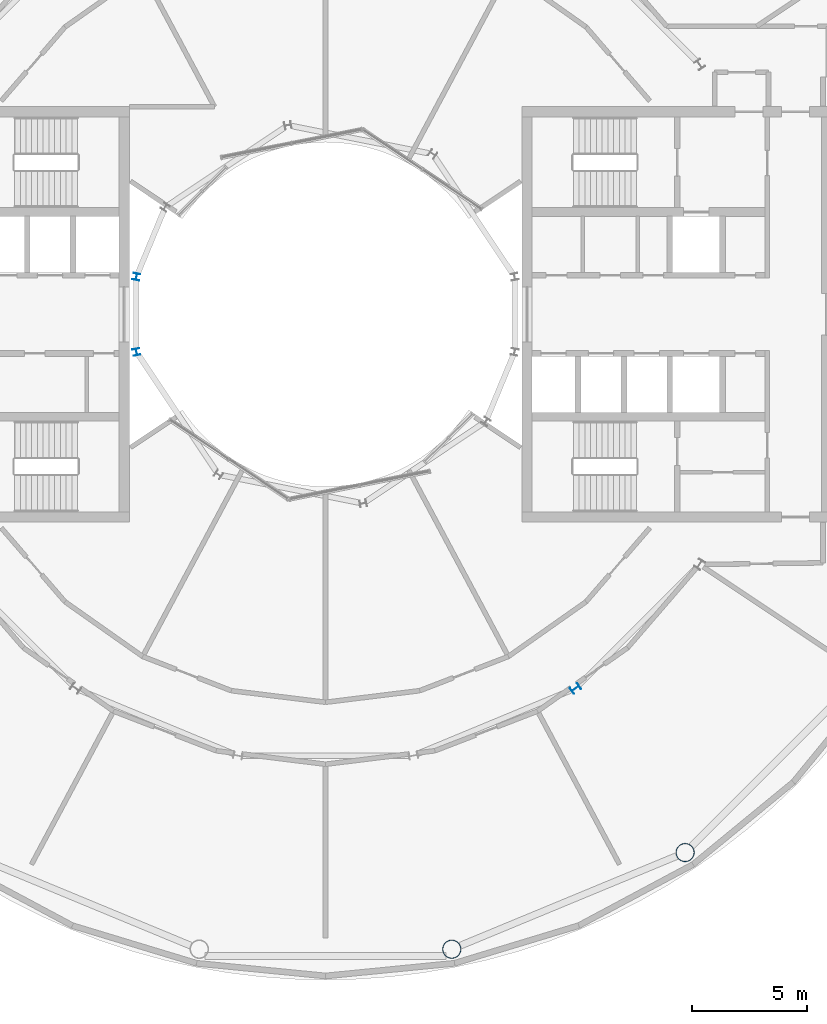
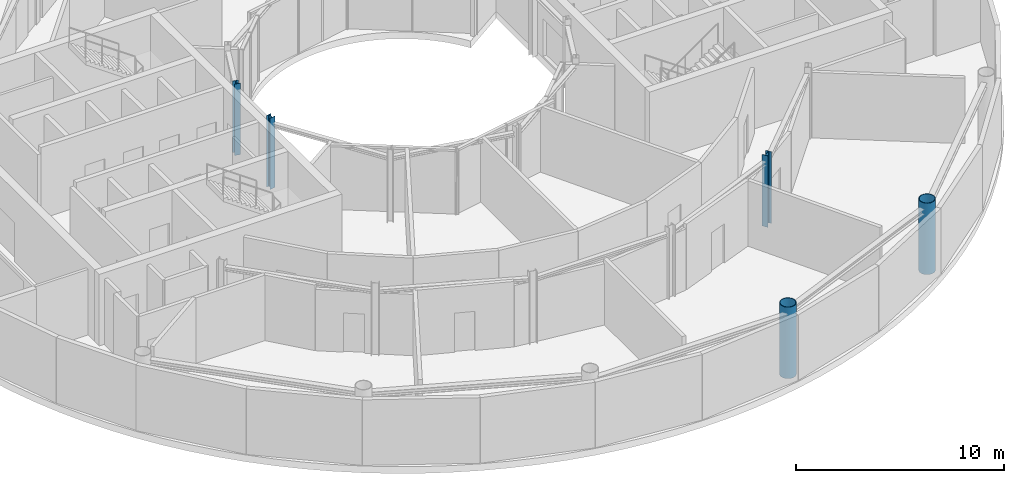
# One storey, part 2 of 19: 5 columns.
"""IFC4 building model written with IfcOpenShell, lengths in metres."""

from ifc_helpers import new_model, si_unit, direction, frame, origin, origin_2d, place, context, subcontext, project, spatial, hollow_circle, i_section, extrude, material, material_profile, profile_set, type_object, element, save


model = new_model("IFC4")

# Units and contexts
model_context = context("Model", 3, precision=1e-05, world=origin(), true_north=direction((0.0, 1.0)))
body_context = subcontext(model_context, "Body", "Model", "MODEL_VIEW")
ifc_project = project(units=[si_unit("LENGTHUNIT", "METRE"), si_unit("AREAUNIT", "SQUARE_METRE"), si_unit("VOLUMEUNIT", "CUBIC_METRE"), si_unit("PLANEANGLEUNIT", "RADIAN"), si_unit("MASSUNIT", "GRAM", prefix="KILO")], contexts=[model_context])

# Site, building, storey
site_placement = place(None, origin())
site = spatial("IfcSite", under=ifc_project, at=site_placement, CompositionType="ELEMENT")
building_placement = place(site_placement, origin())
building = spatial("IfcBuilding", under=site, at=building_placement, Name="Maasbend Ring Residences", CompositionType="ELEMENT")
storey_placement = place(building_placement, frame((0.0, 0.0, 186.0)))
storey = spatial("IfcBuildingStorey", under=building, at=storey_placement, Name="L53", CompositionType="ELEMENT", Elevation=186.0)

# Columns
ifc_material_1 = material(Name="Composite concrete-filled steel tube S460NH / C80/95", Category="concrete")
ifc_material_profile_1 = material_profile(ifc_material_1, hollow_circle(Radius=0.406494140625, WallThickness=0.030029296875, at=origin_2d()), Name="Composite tube column CHS 813x30")
ifc_profile_set_1 = profile_set([ifc_material_profile_1], Name="Composite concrete-filled steel tube S460NH / C80/95")
column_type_1 = type_object("IfcColumnType", Name="Composite tube column CHS 813x30", PredefinedType="COLUMN", material=ifc_profile_set_1)
for number, where, z_axis, x_axis, name in (
    (1, (5.50146484375, -27.658203125, 0.0), (0.0, 0.0, 1.0), (1.0, 0.0, 0.0), "Outer column R13"),
    (2, (15.6669921875, -23.447509765625, 0.0), (0.0, 0.0, 1.0), (1.0, 0.0, 0.0), "Outer column R14"),
):
    element("IfcColumn", number, at=place(storey_placement, frame(where, z_axis=z_axis, x_axis=x_axis)), inside=storey, type_object=column_type_1, Name=name, PredefinedType="COLUMN", context=body_context, shape_type="SweptSolid", body=[
        extrude(hollow_circle(Radius=0.406494140625, WallThickness=0.030029296875, at=origin_2d()), origin(), (0.0, 0.0, 1.0), 4.199951171875),
    ])
ifc_material_2 = material(Name="Steel S355J2", Category="steel")
ifc_material_profile_2 = material_profile(ifc_material_2, i_section(OverallWidth=0.300048828125, OverallDepth=0.2900390625, WebThickness=0.008544921875, FlangeThickness=0.013916015625, FilletRadius=0.027099609375, at=origin_2d()), Name="HEA 300")
ifc_profile_set_2 = profile_set([ifc_material_profile_2], Name="Steel S355J2")
column_type_2 = type_object("IfcColumnType", Name="Steel column HEA 300", PredefinedType="COLUMN", material=ifc_profile_set_2)
for number, where, z_axis, x_axis, name in (
    (3, (-8.238525390625, 1.638916015625, 0.0), (0.0, 0.0, 1.0), (-0.980785280403, 0.195090322016, 0.0), "Well ring column R8"),
    (4, (-8.238525390625, -1.638916015625, 0.0), (0.0, 0.0, 1.0), (-0.980785280403, -0.195090322016, 0.0), "Well ring column R9"),
):
    element("IfcColumn", number, at=place(storey_placement, frame(where, z_axis=z_axis, x_axis=x_axis)), inside=storey, type_object=column_type_2, Name=name, PredefinedType="COLUMN", context=body_context, shape_type="SweptSolid", body=[
        extrude(i_section(OverallWidth=0.300048828125, OverallDepth=0.2900390625, WebThickness=0.008544921875, FlangeThickness=0.013916015625, FilletRadius=0.027099609375, at=origin_2d()), origin(), (0.0, 0.0, 1.0), 4.199951171875),
    ])
ifc_material_3 = material(Name="Steel S355J2", Category="steel")
ifc_material_profile_3 = material_profile(ifc_material_3, i_section(OverallWidth=0.300048828125, OverallDepth=0.39990234375, WebThickness=0.013427734375, FlangeThickness=0.02392578125, FilletRadius=0.027099609375, at=origin_2d()), Name="HEB 400")
ifc_profile_set_3 = profile_set([ifc_material_profile_3], Name="Steel S355J2")
column_type_3 = type_object("IfcColumnType", Name="Steel column HEB 400", PredefinedType="COLUMN", material=ifc_profile_set_3)
column_placement = place(storey_placement, frame((10.88916015625, -16.296875, 0.0), z_axis=(0.0, 0.0, 1.0), x_axis=(0.55557023302, -0.831469612303, 0.0)))
element("IfcColumn", 5, at=column_placement, inside=storey, type_object=column_type_3, Name="Corridor ring column R14", PredefinedType="COLUMN", context=body_context, shape_type="SweptSolid", body=[
    extrude(i_section(OverallWidth=0.300048828125, OverallDepth=0.39990234375, WebThickness=0.013427734375, FlangeThickness=0.02392578125, FilletRadius=0.027099609375, at=origin_2d()), origin(), (0.0, 0.0, 1.0), 4.199951171875),
])

save(model, "model.ifc")
